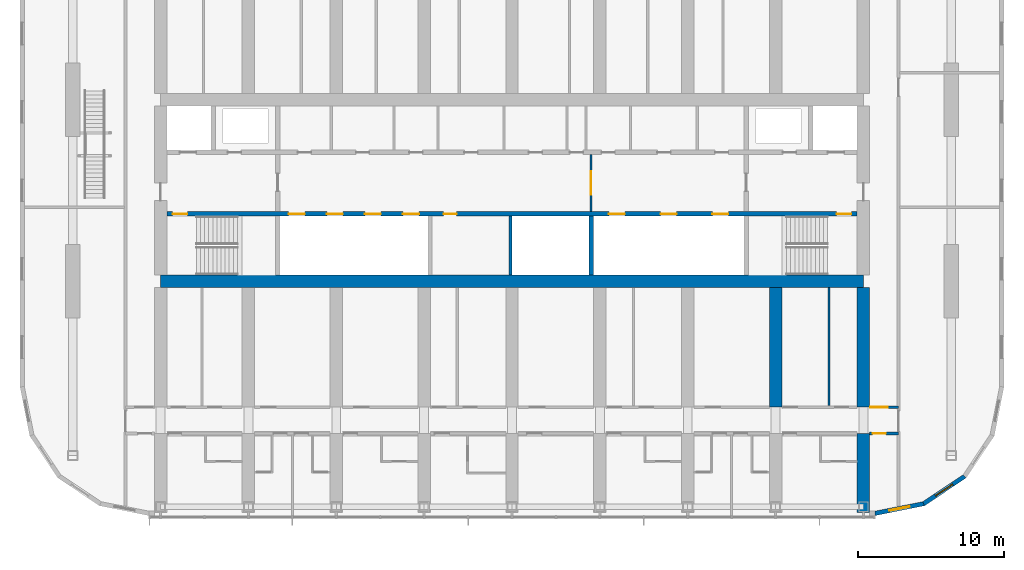
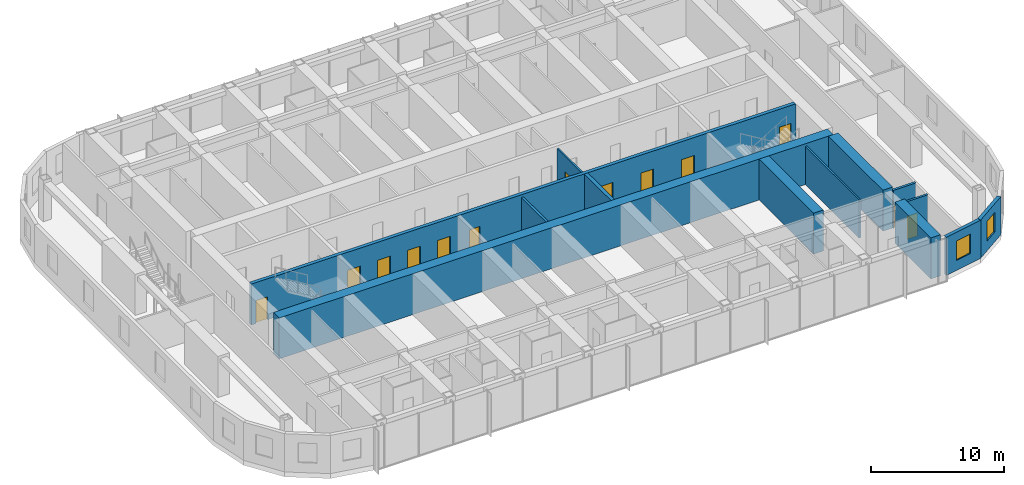
# One storey, part 16 of 28: 13 doors, 13 walls, 2 windows, 15 openings.
"""IFC4 building model written with IfcOpenShell, lengths in metres."""

from ifc_helpers import new_model, si_unit, direction, frame, frame_2d, origin, place, context, subcontext, project, spatial, polyline, rectangle, outline, extrude, material, layer, layer_set, type_object, element, fill, save


model = new_model("IFC4")

# Units and contexts
model_context = context("Model", 3, precision=1e-05, world=origin(), true_north=direction((0.0, 1.0)))
body_context = subcontext(model_context, "Body", "Model", "MODEL_VIEW")
ifc_project = project(units=[si_unit("LENGTHUNIT", "METRE"), si_unit("AREAUNIT", "SQUARE_METRE"), si_unit("VOLUMEUNIT", "CUBIC_METRE"), si_unit("PLANEANGLEUNIT", "RADIAN"), si_unit("MASSUNIT", "GRAM", prefix="KILO")], contexts=[model_context])

# Site, building, storey
site_placement = place(None, origin())
site = spatial("IfcSite", under=ifc_project, at=site_placement, CompositionType="ELEMENT")
building_placement = place(site_placement, origin())
building = spatial("IfcBuilding", under=site, at=building_placement, Name="Orbita Commons", CompositionType="ELEMENT")
storey_placement = place(building_placement, frame((0.0, 0.0, 193.60009765625)))
storey = spatial("IfcBuildingStorey", under=building, at=storey_placement, Name="L48", CompositionType="ELEMENT", Elevation=193.60009765625)

# Wall, openings, doors
ifc_material_1 = material(Name="Concrete C50/60", Category="concrete")
ifc_layer_1 = layer(ifc_material_1, 0.300048828125)
ifc_layer_set_1 = layer_set([ifc_layer_1], Name="Concrete C50/60")
wall_type_1 = type_object("IfcWallType", Name="Core inner wall 300 C50/60", PredefinedType="SHEAR", material=ifc_layer_set_1)
wall_1_placement = place(storey_placement, frame((18.425048828125, 30.39990234375, 0.0), z_axis=(0.0, 0.0, 1.0), x_axis=(1.0, 0.0, 0.0)))
wall_1 = element("IfcWall", 1, at=wall_1_placement, inside=storey, type_object=wall_type_1, Name="Lobby wall south L48", PredefinedType="SHEAR", context=body_context, shape_type="SweptSolid", body=[
    extrude(rectangle(XDim=47.14990234375, YDim=0.300048828125, at=frame_2d((23.574951171875, 0.0))), origin(), (0.0, 0.0, 1.0), 3.75),
])
opening_1_placement = place(wall_1_placement, frame((0.39990234375, 0.0, 0.0)))
opening_1 = element("IfcOpeningElement", 2, at=opening_1_placement, cuts=wall_1, Name="Opening D02", PredefinedType="OPENING", context=body_context, shape_type="SweptSolid", body=[
    extrude(rectangle(XDim=1.0, YDim=2.10009765625, at=frame_2d((0.5, 1.050048828125))), frame((0.0, 0.159912109375, 0.0), z_axis=(0.0, -1.0, 0.0), x_axis=(1.0, 0.0, 0.0)), (0.0, 0.0, 1.0), 0.320068359375),
])
opening_2_placement = place(wall_1_placement, frame((45.75, 0.0, 0.0)))
opening_2 = element("IfcOpeningElement", 3, at=opening_2_placement, cuts=wall_1, Name="Opening D02", PredefinedType="OPENING", context=body_context, shape_type="SweptSolid", body=[
    extrude(rectangle(XDim=1.0, YDim=2.10009765625, at=frame_2d((0.5, 1.050048828125))), frame((0.0, 0.159912109375, 0.0), z_axis=(0.0, -1.0, 0.0), x_axis=(1.0, 0.0, 0.0)), (0.0, 0.0, 1.0), 0.320068359375),
])
opening_3_placement = place(wall_1_placement, frame((8.324951171875, 0.0, 0.0)))
opening_3 = element("IfcOpeningElement", 4, at=opening_3_placement, cuts=wall_1, Name="Opening LD02", PredefinedType="OPENING", context=body_context, shape_type="SweptSolid", body=[
    extrude(rectangle(XDim=1.10009765625, YDim=2.10009765625, at=frame_2d((0.550048828125, 1.050048828125))), frame((0.0, 0.159912109375, 0.0), z_axis=(0.0, -1.0, 0.0), x_axis=(1.0, 0.0, 0.0)), (0.0, 0.0, 1.0), 0.320068359375),
])
opening_4_placement = place(wall_1_placement, frame((10.925048828125, 0.0, 0.0)))
opening_4 = element("IfcOpeningElement", 5, at=opening_4_placement, cuts=wall_1, Name="Opening LD02", PredefinedType="OPENING", context=body_context, shape_type="SweptSolid", body=[
    extrude(rectangle(XDim=1.10009765625, YDim=2.10009765625, at=frame_2d((0.550048828125, 1.050048828125))), frame((0.0, 0.159912109375, 0.0), z_axis=(0.0, -1.0, 0.0), x_axis=(1.0, 0.0, 0.0)), (0.0, 0.0, 1.0), 0.320068359375),
])
opening_5_placement = place(wall_1_placement, frame((13.52490234375, 0.0, 0.0)))
opening_5 = element("IfcOpeningElement", 6, at=opening_5_placement, cuts=wall_1, Name="Opening LD02", PredefinedType="OPENING", context=body_context, shape_type="SweptSolid", body=[
    extrude(rectangle(XDim=1.10009765625, YDim=2.10009765625, at=frame_2d((0.550048828125, 1.050048828125))), frame((0.0, 0.159912109375, 0.0), z_axis=(0.0, -1.0, 0.0), x_axis=(1.0, 0.0, 0.0)), (0.0, 0.0, 1.0), 0.320068359375),
])
opening_6_placement = place(wall_1_placement, frame((16.125, 0.0, 0.0)))
opening_6 = element("IfcOpeningElement", 7, at=opening_6_placement, cuts=wall_1, Name="Opening LD02", PredefinedType="OPENING", context=body_context, shape_type="SweptSolid", body=[
    extrude(rectangle(XDim=1.10009765625, YDim=2.10009765625, at=frame_2d((0.550048828125, 1.050048828125))), frame((0.0, 0.159912109375, 0.0), z_axis=(0.0, -1.0, 0.0), x_axis=(1.0, 0.0, 0.0)), (0.0, 0.0, 1.0), 0.320068359375),
])
opening_7_placement = place(wall_1_placement, frame((18.89990234375, 0.0, 0.0)))
opening_7 = element("IfcOpeningElement", 8, at=opening_7_placement, cuts=wall_1, Name="Opening D05", PredefinedType="OPENING", context=body_context, shape_type="SweptSolid", body=[
    extrude(rectangle(XDim=0.89990234375, YDim=2.10009765625, at=frame_2d((0.449951171875, 1.050048828125))), frame((0.0, 0.159912109375, 0.0), z_axis=(0.0, -1.0, 0.0), x_axis=(1.0, 0.0, 0.0)), (0.0, 0.0, 1.0), 0.320068359375),
])
opening_8_placement = place(wall_1_placement, frame((30.191650390625, 0.0, 0.0)))
opening_8 = element("IfcOpeningElement", 9, at=opening_8_placement, cuts=wall_1, Name="Opening LD02", PredefinedType="OPENING", context=body_context, shape_type="SweptSolid", body=[
    extrude(rectangle(XDim=1.10009765625, YDim=2.10009765625, at=frame_2d((0.550048828125, 1.050048828125))), frame((0.0, 0.159912109375, 0.0), z_axis=(0.0, -1.0, 0.0), x_axis=(1.0, 0.0, 0.0)), (0.0, 0.0, 1.0), 0.320068359375),
])
opening_9_placement = place(wall_1_placement, frame((33.72509765625, 0.0, 0.0)))
opening_9 = element("IfcOpeningElement", 10, at=opening_9_placement, cuts=wall_1, Name="Opening LD02", PredefinedType="OPENING", context=body_context, shape_type="SweptSolid", body=[
    extrude(rectangle(XDim=1.10009765625, YDim=2.10009765625, at=frame_2d((0.550048828125, 1.050048828125))), frame((0.0, 0.159912109375, 0.0), z_axis=(0.0, -1.0, 0.0), x_axis=(1.0, 0.0, 0.0)), (0.0, 0.0, 1.0), 0.320068359375),
])
opening_10_placement = place(wall_1_placement, frame((37.25830078125, 0.0, 0.0)))
opening_10 = element("IfcOpeningElement", 11, at=opening_10_placement, cuts=wall_1, Name="Opening LD02", PredefinedType="OPENING", context=body_context, shape_type="SweptSolid", body=[
    extrude(rectangle(XDim=1.10009765625, YDim=2.10009765625, at=frame_2d((0.550048828125, 1.050048828125))), frame((0.0, 0.159912109375, 0.0), z_axis=(0.0, -1.0, 0.0), x_axis=(1.0, 0.0, 0.0)), (0.0, 0.0, 1.0), 0.320068359375),
])
ifc_material_2 = material(Name="Steel-faced fire door leaf", Category="steel")
door_type_1 = type_object("IfcDoorType", Name="Fire door 90 min 1000x2100", OperationType="SINGLE_SWING_LEFT", PredefinedType="DOOR", material=ifc_material_2)
door_1_placement = place(opening_1_placement, origin())
door_1 = element("IfcDoor", 12, at=door_1_placement, inside=storey, type_object=door_type_1, Name="Stair S1 door", OperationType="SINGLE_SWING_LEFT", OverallHeight=2.10009765625, OverallWidth=1.0, PredefinedType="DOOR", context=body_context, shape_type="SweptSolid", body=[
    extrude(rectangle(XDim=1.0, YDim=2.10009765625, at=frame_2d((0.5, 1.050048828125))), frame((0.0, 0.02490234375, 0.0), z_axis=(0.0, -1.0, 0.0), x_axis=(1.0, 0.0, 0.0)), (0.0, 0.0, 1.0), 0.050048828125),
])
fill(opening_1, door_1)
door_2_placement = place(opening_2_placement, origin())
door_2 = element("IfcDoor", 13, at=door_2_placement, inside=storey, type_object=door_type_1, Name="Stair S2 door", OperationType="SINGLE_SWING_LEFT", OverallHeight=2.10009765625, OverallWidth=1.0, PredefinedType="DOOR", context=body_context, shape_type="SweptSolid", body=[
    extrude(rectangle(XDim=1.0, YDim=2.10009765625, at=frame_2d((0.5, 1.050048828125))), frame((0.0, 0.02490234375, 0.0), z_axis=(0.0, -1.0, 0.0), x_axis=(1.0, 0.0, 0.0)), (0.0, 0.0, 1.0), 0.050048828125),
])
fill(opening_2, door_2)
ifc_material_3 = material(Name="Steel-faced fire door leaf", Category="steel")
door_type_2 = type_object("IfcDoorType", Name="Lift landing door 1100x2100", OperationType="DOUBLE_DOOR_SLIDING", PredefinedType="DOOR", material=ifc_material_3)
door_3_placement = place(opening_3_placement, origin())
door_3 = element("IfcDoor", 14, at=door_3_placement, inside=storey, type_object=door_type_2, Name="Lift P31 landing door", OperationType="DOUBLE_DOOR_SLIDING", OverallHeight=2.10009765625, OverallWidth=1.10009765625, PredefinedType="DOOR", context=body_context, shape_type="SweptSolid", body=[
    extrude(rectangle(XDim=1.10009765625, YDim=2.10009765625, at=frame_2d((0.550048828125, 1.050048828125))), frame((0.0, 0.02490234375, 0.0), z_axis=(0.0, -1.0, 0.0), x_axis=(1.0, 0.0, 0.0)), (0.0, 0.0, 1.0), 0.050048828125),
])
fill(opening_3, door_3)
door_4_placement = place(opening_4_placement, origin())
door_4 = element("IfcDoor", 15, at=door_4_placement, inside=storey, type_object=door_type_2, Name="Lift P32 landing door", OperationType="DOUBLE_DOOR_SLIDING", OverallHeight=2.10009765625, OverallWidth=1.10009765625, PredefinedType="DOOR", context=body_context, shape_type="SweptSolid", body=[
    extrude(rectangle(XDim=1.10009765625, YDim=2.10009765625, at=frame_2d((0.550048828125, 1.050048828125))), frame((0.0, 0.02490234375, 0.0), z_axis=(0.0, -1.0, 0.0), x_axis=(1.0, 0.0, 0.0)), (0.0, 0.0, 1.0), 0.050048828125),
])
fill(opening_4, door_4)
door_5_placement = place(opening_5_placement, origin())
door_5 = element("IfcDoor", 16, at=door_5_placement, inside=storey, type_object=door_type_2, Name="Lift P33 landing door", OperationType="DOUBLE_DOOR_SLIDING", OverallHeight=2.10009765625, OverallWidth=1.10009765625, PredefinedType="DOOR", context=body_context, shape_type="SweptSolid", body=[
    extrude(rectangle(XDim=1.10009765625, YDim=2.10009765625, at=frame_2d((0.550048828125, 1.050048828125))), frame((0.0, 0.02490234375, 0.0), z_axis=(0.0, -1.0, 0.0), x_axis=(1.0, 0.0, 0.0)), (0.0, 0.0, 1.0), 0.050048828125),
])
fill(opening_5, door_5)
door_6_placement = place(opening_6_placement, origin())
door_6 = element("IfcDoor", 17, at=door_6_placement, inside=storey, type_object=door_type_2, Name="Lift P34 landing door", OperationType="DOUBLE_DOOR_SLIDING", OverallHeight=2.10009765625, OverallWidth=1.10009765625, PredefinedType="DOOR", context=body_context, shape_type="SweptSolid", body=[
    extrude(rectangle(XDim=1.10009765625, YDim=2.10009765625, at=frame_2d((0.550048828125, 1.050048828125))), frame((0.0, 0.02490234375, 0.0), z_axis=(0.0, -1.0, 0.0), x_axis=(1.0, 0.0, 0.0)), (0.0, 0.0, 1.0), 0.050048828125),
])
fill(opening_6, door_6)
door_7_placement = place(opening_8_placement, origin())
door_7 = element("IfcDoor", 18, at=door_7_placement, inside=storey, type_object=door_type_2, Name="Lift SV1 landing door", OperationType="DOUBLE_DOOR_SLIDING", OverallHeight=2.10009765625, OverallWidth=1.10009765625, PredefinedType="DOOR", context=body_context, shape_type="SweptSolid", body=[
    extrude(rectangle(XDim=1.10009765625, YDim=2.10009765625, at=frame_2d((0.550048828125, 1.050048828125))), frame((0.0, 0.02490234375, 0.0), z_axis=(0.0, -1.0, 0.0), x_axis=(1.0, 0.0, 0.0)), (0.0, 0.0, 1.0), 0.050048828125),
])
fill(opening_8, door_7)
door_8_placement = place(opening_9_placement, origin())
door_8 = element("IfcDoor", 19, at=door_8_placement, inside=storey, type_object=door_type_2, Name="Lift SV2 landing door", OperationType="DOUBLE_DOOR_SLIDING", OverallHeight=2.10009765625, OverallWidth=1.10009765625, PredefinedType="DOOR", context=body_context, shape_type="SweptSolid", body=[
    extrude(rectangle(XDim=1.10009765625, YDim=2.10009765625, at=frame_2d((0.550048828125, 1.050048828125))), frame((0.0, 0.02490234375, 0.0), z_axis=(0.0, -1.0, 0.0), x_axis=(1.0, 0.0, 0.0)), (0.0, 0.0, 1.0), 0.050048828125),
])
fill(opening_9, door_8)
door_9_placement = place(opening_10_placement, origin())
door_9 = element("IfcDoor", 20, at=door_9_placement, inside=storey, type_object=door_type_2, Name="Lift SV3 landing door", OperationType="DOUBLE_DOOR_SLIDING", OverallHeight=2.10009765625, OverallWidth=1.10009765625, PredefinedType="DOOR", context=body_context, shape_type="SweptSolid", body=[
    extrude(rectangle(XDim=1.10009765625, YDim=2.10009765625, at=frame_2d((0.550048828125, 1.050048828125))), frame((0.0, 0.02490234375, 0.0), z_axis=(0.0, -1.0, 0.0), x_axis=(1.0, 0.0, 0.0)), (0.0, 0.0, 1.0), 0.050048828125),
])
fill(opening_10, door_9)
ifc_material_4 = material(Name="Steel-faced fire door leaf", Category="steel")
door_type_3 = type_object("IfcDoorType", Name="Service door 20 min 900x2100", OperationType="SINGLE_SWING_LEFT", PredefinedType="DOOR", material=ifc_material_4)
door_10_placement = place(opening_7_placement, origin())
door_10 = element("IfcDoor", 21, at=door_10_placement, inside=storey, type_object=door_type_3, Name="IT room door", OperationType="SINGLE_SWING_LEFT", OverallHeight=2.10009765625, OverallWidth=0.89990234375, PredefinedType="DOOR", context=body_context, shape_type="SweptSolid", body=[
    extrude(rectangle(XDim=0.89990234375, YDim=2.10009765625, at=frame_2d((0.449951171875, 1.050048828125))), frame((0.0, 0.02490234375, 0.0), z_axis=(0.0, -1.0, 0.0), x_axis=(1.0, 0.0, 0.0)), (0.0, 0.0, 1.0), 0.050048828125),
])
fill(opening_7, door_10)

# Wall
wall_2_placement = place(storey_placement, frame((47.39990234375, 26.22509765625, 0.0), z_axis=(0.0, 0.0, 1.0), x_axis=(0.0, 1.0, 0.0)))
element("IfcWall", 22, at=wall_2_placement, inside=storey, type_object=wall_type_1, Name="Hoistway division wall L48", PredefinedType="SHEAR", context=body_context, shape_type="SweptSolid", body=[
    extrude(rectangle(XDim=4.02490234375, YDim=0.300048828125, at=frame_2d((2.012451171875, 0.0))), origin(), (0.0, 0.0, 1.0), 3.75),
])

# Wall, opening, door
ifc_material_5 = material(Name="Concrete blockwork", Category="masonry")
ifc_layer_2 = layer(ifc_material_5, 0.14990234375)
ifc_layer_set_2 = layer_set([ifc_layer_2], Name="Concrete blockwork")
wall_type_2 = type_object("IfcWallType", Name="Core partition 150 blockwork", PredefinedType="SOLIDWALL", material=ifc_layer_set_2)
wall_3_placement = place(storey_placement, frame((47.39990234375, 30.550048828125, 0.0), z_axis=(0.0, 0.0, 1.0), x_axis=(0.0, 1.0, 0.0)))
wall_3 = element("IfcWall", 23, at=wall_3_placement, inside=storey, type_object=wall_type_2, Name="Core partition 150 blockwork L48", PredefinedType="SOLIDWALL", context=body_context, shape_type="SweptSolid", body=[
    extrude(rectangle(XDim=3.89990234375, YDim=0.14990234375, at=frame_2d((1.949951171875, 0.0))), origin(), (0.0, 0.0, 1.0), 3.5),
])
opening_11_placement = place(wall_3_placement, frame((1.14990234375, 0.0, 0.0)))
opening_11 = element("IfcOpeningElement", 24, at=opening_11_placement, cuts=wall_3, Name="Opening D10", PredefinedType="OPENING", context=body_context, shape_type="SweptSolid", body=[
    extrude(rectangle(XDim=1.60009765625, YDim=2.10009765625, at=frame_2d((0.800048828125, 1.050048828125))), frame((0.0, 0.0849609375, 0.0), z_axis=(0.0, -1.0, 0.0), x_axis=(1.0, 0.0, 0.0)), (0.0, 0.0, 1.0), 0.169921875),
])
ifc_material_6 = material(Name="Steel-faced fire door leaf", Category="steel")
door_type_4 = type_object("IfcDoorType", Name="Double corridor door 20 min 1600x2100", OperationType="DOUBLE_DOOR_SINGLE_SWING", PredefinedType="DOOR", material=ifc_material_6)
door_11_placement = place(opening_11_placement, origin())
door_11 = element("IfcDoor", 25, at=door_11_placement, inside=storey, type_object=door_type_4, Name="Lift lobby screen doors", OperationType="DOUBLE_DOOR_SINGLE_SWING", OverallHeight=2.10009765625, OverallWidth=1.60009765625, PredefinedType="DOOR", context=body_context, shape_type="SweptSolid", body=[
    extrude(rectangle(XDim=1.60009765625, YDim=2.10009765625, at=frame_2d((0.800048828125, 1.050048828125))), frame((0.0, 0.02490234375, 0.0), z_axis=(0.0, -1.0, 0.0), x_axis=(1.0, 0.0, 0.0)), (0.0, 0.0, 1.0), 0.050048828125),
])
fill(opening_11, door_11)

# Wall
ifc_material_7 = material(Name="Concrete C50/60", Category="concrete")
ifc_layer_3 = layer(ifc_material_7, 0.85009765625)
ifc_layer_set_3 = layer_set([ifc_layer_3], Name="Concrete C50/60")
wall_type_3 = type_object("IfcWallType", Name="Core wall 850 C50/60", PredefinedType="SHEAR", material=ifc_layer_set_3)
wall_4_placement = place(storey_placement, frame((18.0, 25.800048828125, 0.0), z_axis=(0.0, 0.0, 1.0), x_axis=(1.0, 0.0, 0.0)))
element("IfcWall", 26, at=wall_4_placement, inside=storey, type_object=wall_type_3, Name="Core spine wall south L48", PredefinedType="SHEAR", context=body_context, shape_type="SweptSolid", body=[
    extrude(rectangle(XDim=48.0, YDim=0.85009765625, at=frame_2d((24.0, 0.0))), origin(), (0.0, 0.0, 1.0), 3.75),
])

# Wall, opening, door
ifc_material_8 = material(Name="Concrete blockwork", Category="masonry")
ifc_layer_4 = layer(ifc_material_8, 0.199951171875)
ifc_layer_set_4 = layer_set([ifc_layer_4], Name="Concrete blockwork")
wall_type_4 = type_object("IfcWallType", Name="Corridor wall 200 blockwork", PredefinedType="SOLIDWALL", material=ifc_layer_set_4)
wall_5_placement = place(storey_placement, frame((66.425048828125, 15.39990234375, 0.0), z_axis=(0.0, 0.0, 1.0), x_axis=(1.0, 0.0, 0.0)))
wall_5 = element("IfcWall", 27, at=wall_5_placement, inside=storey, type_object=wall_type_4, Name="Corridor wall 200 blockwork L48", PredefinedType="SOLIDWALL", context=body_context, shape_type="SweptSolid", body=[
    extrude(rectangle(XDim=1.974853515625, YDim=0.199951171875, at=frame_2d((0.9873046875, 0.0))), origin(), (0.0, 0.0, 1.0), 3.5),
])
opening_12_placement = place(wall_5_placement, frame((0.199951171875, 0.0, 0.0)))
opening_12 = element("IfcOpeningElement", 28, at=opening_12_placement, cuts=wall_5, Name="Opening D05", PredefinedType="OPENING", context=body_context, shape_type="SweptSolid", body=[
    extrude(rectangle(XDim=0.89990234375, YDim=2.10009765625, at=frame_2d((0.449951171875, 1.050048828125))), frame((0.0, 0.10986328125, 0.0), z_axis=(0.0, -1.0, 0.0), x_axis=(1.0, 0.0, 0.0)), (0.0, 0.0, 1.0), 0.219970703125),
])
door_12_placement = place(opening_12_placement, origin())
door_12 = element("IfcDoor", 29, at=door_12_placement, inside=storey, type_object=door_type_3, Name="Linen store L48-KES door", OperationType="SINGLE_SWING_LEFT", OverallHeight=2.10009765625, OverallWidth=0.89990234375, PredefinedType="DOOR", context=body_context, shape_type="SweptSolid", body=[
    extrude(rectangle(XDim=0.89990234375, YDim=2.10009765625, at=frame_2d((0.449951171875, 1.050048828125))), frame((0.0, 0.02490234375, 0.0), z_axis=(0.0, -1.0, 0.0), x_axis=(1.0, 0.0, 0.0)), (0.0, 0.0, 1.0), 0.050048828125),
])
fill(opening_12, door_12)

ifc_material_9 = material(Name="Hollow concrete block 200", Category="concrete")
ifc_layer_5 = layer(ifc_material_9, 0.199951171875)
ifc_layer_set_5 = layer_set([ifc_layer_5], Name="Hollow concrete block 200")
wall_type_5 = type_object("IfcWallType", Name="Corridor wall 200 hollow concrete block", PredefinedType="SOLIDWALL", material=ifc_layer_set_5)
wall_6_placement = place(storey_placement, frame((66.425048828125, 17.199951171875, 0.0), z_axis=(0.0, 0.0, 1.0), x_axis=(1.0, 0.0, 0.0)))
wall_6 = element("IfcWall", 30, at=wall_6_placement, inside=storey, type_object=wall_type_5, Name="Corridor wall 200 hollow concrete block L48", PredefinedType="SOLIDWALL", context=body_context, shape_type="SweptSolid", body=[
    extrude(rectangle(XDim=1.974853515625, YDim=0.199951171875, at=frame_2d((0.9873046875, 0.0))), origin(), (0.0, 0.0, 1.0), 3.5),
])
opening_13_placement = place(wall_6_placement, frame((0.050048828125, 0.0, 0.0)))
opening_13 = element("IfcOpeningElement", 31, at=opening_13_placement, cuts=wall_6, Name="Opening D12", PredefinedType="OPENING", context=body_context, shape_type="SweptSolid", body=[
    extrude(rectangle(XDim=1.199951171875, YDim=2.10009765625, at=frame_2d((0.60009765625, 1.050048828125))), frame((0.0, 0.10986328125, 0.0), z_axis=(0.0, -1.0, 0.0), x_axis=(1.0, 0.0, 0.0)), (0.0, 0.0, 1.0), 0.219970703125),
])
ifc_material_10 = material(Name="Steel-faced fire door leaf", Category="steel")
door_type_5 = type_object("IfcDoorType", Name="Double corridor door 20 min 1200x2100", OperationType="DOUBLE_DOOR_SINGLE_SWING", PredefinedType="DOOR", material=ifc_material_10)
door_13_placement = place(opening_13_placement, origin())
door_13 = element("IfcDoor", 32, at=door_13_placement, inside=storey, type_object=door_type_5, Name="Cross corridor doors", OperationType="DOUBLE_DOOR_SINGLE_SWING", OverallHeight=2.10009765625, OverallWidth=1.199951171875, PredefinedType="DOOR", context=body_context, shape_type="SweptSolid", body=[
    extrude(rectangle(XDim=1.199951171875, YDim=2.10009765625, at=frame_2d((0.60009765625, 1.050048828125))), frame((0.0, 0.02490234375, 0.0), z_axis=(0.0, -1.0, 0.0), x_axis=(1.0, 0.0, 0.0)), (0.0, 0.0, 1.0), 0.050048828125),
])
fill(opening_13, door_13)

# Walls
ifc_material_11 = material(Name="Concrete C50/60", Category="concrete")
ifc_layer_6 = layer(ifc_material_11, 0.85009765625)
ifc_layer_set_6 = layer_set([ifc_layer_6], Name="Concrete C50/60")
wall_type_6 = type_object("IfcWallType", Name="Cross wall 850 C50/60", PredefinedType="SHEAR", material=ifc_layer_set_6)
wall_7_placement = place(storey_placement, frame((60.0, 17.199951171875, 0.0), z_axis=(0.0, 0.0, 1.0), x_axis=(0.0, 1.0, 0.0)))
element("IfcWall", 33, at=wall_7_placement, inside=storey, type_object=wall_type_6, Name="Cross wall 11 south inner L48", PredefinedType="SHEAR", context=body_context, shape_type="SweptSolid", body=[
    extrude(rectangle(XDim=8.175048828125, YDim=0.85009765625, at=frame_2d((4.08740234375, 0.0))), origin(), (0.0, 0.0, 1.0), 3.75),
])
wall_8_placement = place(storey_placement, frame((66.0, 10.0, 0.0), z_axis=(0.0, 0.0, 1.0), x_axis=(0.0, 1.0, 0.0)))
element("IfcWall", 34, at=wall_8_placement, inside=storey, type_object=wall_type_6, Name="Cross wall 12 south outer L48", PredefinedType="SHEAR", context=body_context, shape_type="SweptSolid", body=[
    extrude(rectangle(XDim=5.39990234375, YDim=0.85009765625, at=frame_2d((2.699951171875, 0.0))), origin(), (0.0, 0.0, 1.0), 3.75),
])
wall_9_placement = place(storey_placement, frame((66.0, 17.199951171875, 0.0), z_axis=(0.0, 0.0, 1.0), x_axis=(0.0, 1.0, 0.0)))
element("IfcWall", 35, at=wall_9_placement, inside=storey, type_object=wall_type_6, Name="Cross wall 12 south inner L48", PredefinedType="SHEAR", context=body_context, shape_type="SweptSolid", body=[
    extrude(rectangle(XDim=8.175048828125, YDim=0.85009765625, at=frame_2d((4.08740234375, 0.0))), origin(), (0.0, 0.0, 1.0), 3.75),
])
ifc_material_12 = material(Name="Gypsum plasterboard on steel studs", Category="steel")
ifc_layer_7 = layer(ifc_material_12, 0.14990234375)
ifc_layer_set_7 = layer_set([ifc_layer_7], Name="Gypsum plasterboard on steel studs")
wall_type_7 = type_object("IfcWallType", Name="Partition 150 plasterboard", PredefinedType="PARTITIONING", material=ifc_layer_set_7)
wall_10_placement = place(storey_placement, frame((63.655029296875, 17.300048828125, 0.0), z_axis=(0.0, 0.0, 1.0), x_axis=(0.0, 1.0, 0.0)))
element("IfcWall", 36, at=wall_10_placement, inside=storey, type_object=wall_type_7, Name="Partition 150 plasterboard L48", PredefinedType="PARTITIONING", context=body_context, shape_type="SweptSolid", body=[
    extrude(rectangle(XDim=8.074951171875, YDim=0.14990234375, at=frame_2d((4.03759765625, 0.0))), origin(), (0.0, 0.0, 1.0), 3.5),
])

# Wall, opening, window
ifc_material_13 = material(Name="Precast concrete C40/50, white board-marked finish", Category="concrete")
ifc_layer_8 = layer(ifc_material_13, 0.300048828125)
ifc_layer_set_8 = layer_set([ifc_layer_8], Name="Precast concrete C40/50, white board-marked finish")
wall_type_8 = type_object("IfcWallType", Name="Precast concrete end shield 300", PredefinedType="SOLIDWALL", material=ifc_layer_set_8)
wall_11_placement = place(storey_placement, frame((66.800048828125, 9.949951171875, 0.0), z_axis=(0.0, 0.0, 1.0), x_axis=(0.98078325777, 0.195100490205, 0.0)))
wall_11 = element("IfcWall", 37, at=wall_11_placement, inside=storey, type_object=wall_type_8, Name="End shield SE chord 1 L48", PredefinedType="SOLIDWALL", context=body_context, shape_type="SweptSolid", body=[
    extrude(outline(polyline([(-0.02978515625, -0.14990234375), (3.40478515625, -0.14990234375), (3.34521484375, 0.14990234375), (0.02978515625, 0.14990234375), (-0.02978515625, -0.14990234375)])), origin(), (0.0, 0.0, 1.0), 3.5),
])
opening_14_placement = place(wall_11_placement, frame((0.987548828125, 0.0, 0.89990234375)))
opening_14 = element("IfcOpeningElement", 38, at=opening_14_placement, cuts=wall_11, Name="Opening W02", PredefinedType="OPENING", context=body_context, shape_type="SweptSolid", body=[
    extrude(rectangle(XDim=1.39990234375, YDim=1.800048828125, at=frame_2d((0.699951171875, 0.89990234375))), frame((0.0, 0.159912109375, 0.0), z_axis=(0.0, -1.0, 0.0), x_axis=(1.0, 0.0, 0.0)), (0.0, 0.0, 1.0), 0.320068359375),
])
ifc_material_14 = material(Name="Aluminium frame, clear double glazing", Category="aluminium")
window_type = type_object("IfcWindowType", Name="Deep-set window 1400x1800", PartitioningType="SINGLE_PANEL", PredefinedType="WINDOW", material=ifc_material_14)
window_1_placement = place(opening_14_placement, origin())
window_1 = element("IfcWindow", 39, at=window_1_placement, inside=storey, type_object=window_type, Name="Window L48-SE0", OverallHeight=1.800048828125, OverallWidth=1.39990234375, PartitioningType="SINGLE_PANEL", PredefinedType="WINDOW", context=body_context, shape_type="SweptSolid", body=[
    extrude(rectangle(XDim=1.39990234375, YDim=1.800048828125, at=frame_2d((0.699951171875, 0.89990234375))), frame((0.0, 0.030029296875, 0.0), z_axis=(0.0, -1.0, 0.0), x_axis=(1.0, 0.0, 0.0)), (0.0, 0.0, 1.0), 0.06005859375),
])
fill(opening_14, window_1)

wall_12_placement = place(storey_placement, frame((70.110107421875, 10.6083984375, 0.0), z_axis=(0.0, 0.0, 1.0), x_axis=(0.831493450887, 0.555534554399, 0.0)))
wall_12 = element("IfcWall", 40, at=wall_12_placement, inside=storey, type_object=wall_type_8, Name="End shield SE chord 2 L48", PredefinedType="SOLIDWALL", context=body_context, shape_type="SweptSolid", body=[
    extrude(outline(polyline([(-0.02978515625, -0.14990234375), (3.405029296875, -0.14990234375), (3.345458984375, 0.14990234375), (0.02978515625, 0.14990234375), (-0.02978515625, -0.14990234375)])), origin(), (0.0, 0.0, 1.0), 3.5),
])
opening_15_placement = place(wall_12_placement, frame((0.987548828125, 0.0, 0.89990234375)))
opening_15 = element("IfcOpeningElement", 41, at=opening_15_placement, cuts=wall_12, Name="Opening W02", PredefinedType="OPENING", context=body_context, shape_type="SweptSolid", body=[
    extrude(rectangle(XDim=1.39990234375, YDim=1.800048828125, at=frame_2d((0.699951171875, 0.89990234375))), frame((0.0, 0.159912109375, 0.0), z_axis=(0.0, -1.0, 0.0), x_axis=(1.0, 0.0, 0.0)), (0.0, 0.0, 1.0), 0.320068359375),
])
window_2_placement = place(opening_15_placement, origin())
window_2 = element("IfcWindow", 42, at=window_2_placement, inside=storey, type_object=window_type, Name="Window L48-SE1", OverallHeight=1.800048828125, OverallWidth=1.39990234375, PartitioningType="SINGLE_PANEL", PredefinedType="WINDOW", context=body_context, shape_type="SweptSolid", body=[
    extrude(rectangle(XDim=1.39990234375, YDim=1.800048828125, at=frame_2d((0.699951171875, 0.89990234375))), frame((0.0, 0.030029296875, 0.0), z_axis=(0.0, -1.0, 0.0), x_axis=(1.0, 0.0, 0.0)), (0.0, 0.0, 1.0), 0.06005859375),
])
fill(opening_15, window_2)

# Wall
ifc_material_15 = material(Name="Concrete blockwork, fully filled", Category="masonry")
ifc_layer_9 = layer(ifc_material_15, 0.199951171875)
ifc_layer_set_9 = layer_set([ifc_layer_9], Name="Concrete blockwork, fully filled")
wall_type_9 = type_object("IfcWallType", Name="Shaft partition 200 blockwork", PredefinedType="SOLIDWALL", material=ifc_layer_set_9)
wall_13_placement = place(storey_placement, frame((41.89990234375, 26.22509765625, 0.0), z_axis=(0.0, 0.0, 1.0), x_axis=(0.0, 1.0, 0.0)))
element("IfcWall", 43, at=wall_13_placement, inside=storey, type_object=wall_type_9, Name="Shaft partition 200 blockwork L48", PredefinedType="SOLIDWALL", context=body_context, shape_type="SweptSolid", body=[
    extrude(rectangle(XDim=4.02490234375, YDim=0.199951171875, at=frame_2d((2.012451171875, 0.0))), origin(), (0.0, 0.0, 1.0), 3.5),
])

save(model, "model.ifc")
